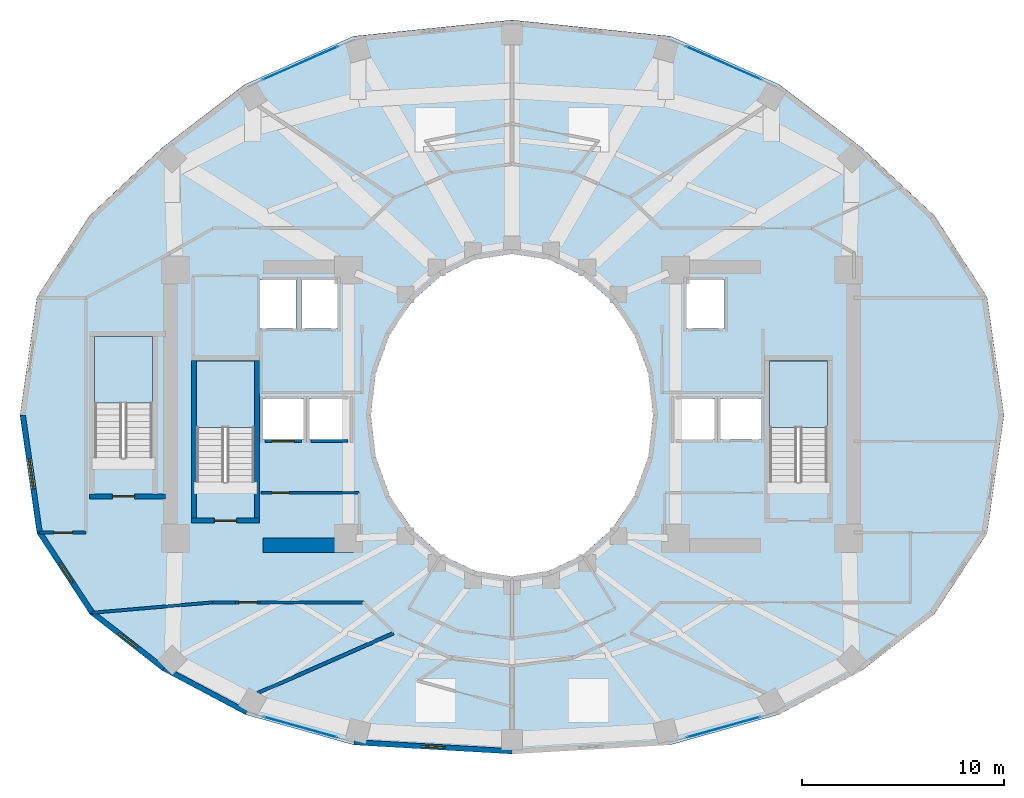
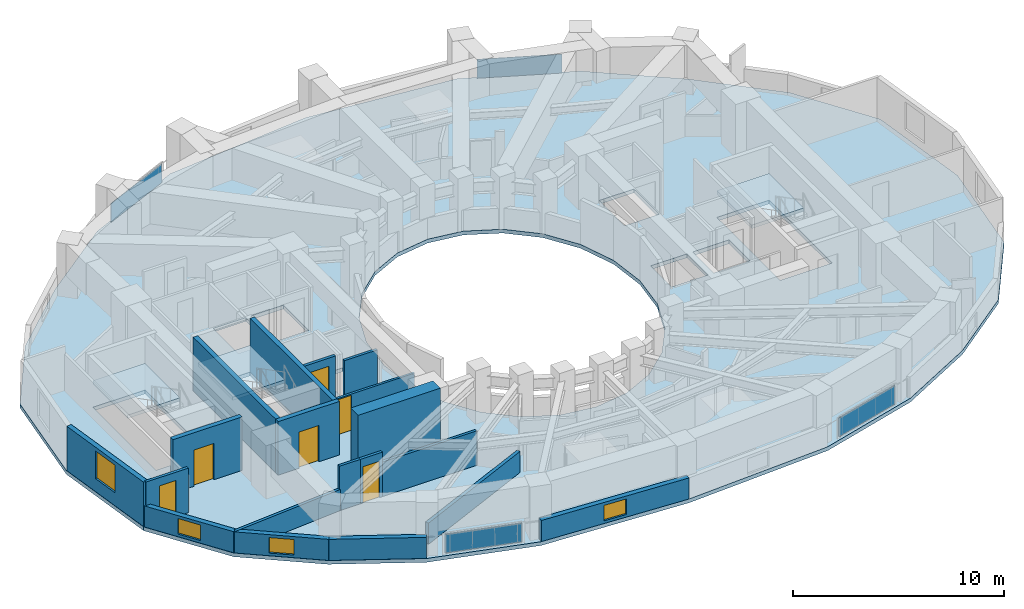
# One storey, part 8 of 16: 19 walls, 6 doors, 4 plates, 4 slabs, 4 windows, 10 openings, 7 elements without a shape of their own.
"""IFC4 building model written with IfcOpenShell, lengths in metres."""

from ifc_helpers import new_model, si_unit, direction, frame, frame_2d, origin, origin_2d, place, context, subcontext, project, spatial, polyline, rectangle, outline, extrude, material, layer, layer_set, type_object, element, fill, aggregate, save


model = new_model("IFC4")

# Units and contexts
model_context = context("Model", 3, precision=1e-05, world=origin(), true_north=direction((0.0, 1.0)))
body_context = subcontext(model_context, "Body", "Model", "MODEL_VIEW")
ifc_project = project(units=[si_unit("LENGTHUNIT", "METRE"), si_unit("AREAUNIT", "SQUARE_METRE"), si_unit("VOLUMEUNIT", "CUBIC_METRE"), si_unit("PLANEANGLEUNIT", "RADIAN"), si_unit("MASSUNIT", "GRAM", prefix="KILO")], contexts=[model_context])

# Site, building, storey
site_placement = place(None, origin())
site = spatial("IfcSite", under=ifc_project, at=site_placement, CompositionType="ELEMENT")
building_placement = place(site_placement, origin())
building = spatial("IfcBuilding", under=site, at=building_placement, Name="Solvane Sanctuary Tower", CompositionType="ELEMENT")
storey_placement = place(building_placement, frame((0.0, 0.0, 119.699951171875)))
storey = spatial("IfcBuildingStorey", under=building, at=storey_placement, Name="L36", CompositionType="ELEMENT", Elevation=119.699951171875)

# Curtain wall, plate
ifc_material_1 = material(Name="Anodised Aluminium 6063-T6", Category="aluminium")
ifc_layer_1 = layer(ifc_material_1, 0.179931640625, Name="Anodised Aluminium 6063-T6")
ifc_layer_set_1 = layer_set([ifc_layer_1], Name="Anodised Aluminium 6063-T6")
curtain_wall_type = type_object("IfcCurtainWallType", Name="Curtain Wall CW-FRIT-Z2", PredefinedType="NOTDEFINED", material=ifc_layer_set_1)
curtain_wall_1_placement = place(storey_placement, origin())
curtain_wall_1 = element("IfcCurtainWall", 1, at=curtain_wall_1_placement, inside=storey, type_object=curtain_wall_type, Name="L36 CW-FRIT-Z2 Facade Run 04", PredefinedType="NOTDEFINED")
ifc_material_2 = material(Name="Dark Ceramic-Fritted Low-E Glass", Category="glass")
ifc_layer_2 = layer(ifc_material_2, 0.031982421875, Name="Dark Ceramic-Fritted Low-E Glass")
ifc_layer_set_2 = layer_set([ifc_layer_2], Name="Dark Ceramic-Fritted Low-E Glass")
plate_type = type_object("IfcPlateType", Name="Plate PN-FRIT-VIS", PredefinedType="CURTAIN_PANEL", material=ifc_layer_set_2)
plate_1_placement = place(storey_placement, frame((42.494873046875, 40.46435546875, 0.06494140625), z_axis=(0.0, 0.0, 1.0), x_axis=(-0.914338607285, 0.404950504664, 0.0)))
plate_1 = element("IfcPlate", 2, at=plate_1_placement, type_object=plate_type, Name="CW-FRIT-Z2 panel 1.1", PredefinedType="CURTAIN_PANEL", context=body_context, shape_type="SweptSolid", body=[
    extrude(rectangle(XDim=4.06884765625, YDim=0.031982421875, at=origin_2d()), origin(), (0.0, 0.0, 1.0), 1.090087890625),
])
aggregate(curtain_wall_1, [plate_1])

curtain_wall_2_placement = place(storey_placement, origin())
curtain_wall_2 = element("IfcCurtainWall", 3, at=curtain_wall_2_placement, inside=storey, type_object=curtain_wall_type, Name="L36 CW-FRIT-Z2 Facade Run 07", PredefinedType="NOTDEFINED")
plate_2_placement = place(storey_placement, frame((21.505126953125, 40.46435546875, 0.06494140625), z_axis=(0.0, 0.0, 1.0), x_axis=(-0.914338607285, -0.404950504664, 0.0)))
plate_2 = element("IfcPlate", 4, at=plate_2_placement, type_object=plate_type, Name="CW-FRIT-Z2 panel 1.1", PredefinedType="CURTAIN_PANEL", context=body_context, shape_type="SweptSolid", body=[
    extrude(rectangle(XDim=4.06884765625, YDim=0.031982421875, at=origin_2d()), origin(), (0.0, 0.0, 1.0), 1.090087890625),
])
aggregate(curtain_wall_2, [plate_2])

curtain_wall_3_placement = place(storey_placement, origin())
curtain_wall_3 = element("IfcCurtainWall", 5, at=curtain_wall_3_placement, inside=storey, type_object=curtain_wall_type, Name="L36 CW-FRIT-Z2 Facade Run 16", PredefinedType="NOTDEFINED")
plate_3_placement = place(storey_placement, frame((21.505126953125, 7.528564453125, 0.06494140625), z_axis=(0.0, 0.0, 1.0), x_axis=(0.962943103308, -0.269704615814, 0.0)))
plate_3 = element("IfcPlate", 6, at=plate_3_placement, type_object=plate_type, Name="CW-FRIT-Z2 panel 1.1", PredefinedType="CURTAIN_PANEL", context=body_context, shape_type="SweptSolid", body=[
    extrude(rectangle(XDim=3.773193359375, YDim=0.031982421875, at=origin_2d()), origin(), (0.0, 0.0, 1.0), 1.090087890625),
])
aggregate(curtain_wall_3, [plate_3])

curtain_wall_4_placement = place(storey_placement, origin())
curtain_wall_4 = element("IfcCurtainWall", 7, at=curtain_wall_4_placement, inside=storey, type_object=curtain_wall_type, Name="L36 CW-FRIT-Z2 Facade Run 19", PredefinedType="NOTDEFINED")
plate_4_placement = place(storey_placement, frame((42.494873046875, 7.528564453125, 0.06494140625), z_axis=(0.0, 0.0, 1.0), x_axis=(0.962943103308, 0.269704615814, 0.0)))
plate_4 = element("IfcPlate", 8, at=plate_4_placement, type_object=plate_type, Name="CW-FRIT-Z2 panel 1.1", PredefinedType="CURTAIN_PANEL", context=body_context, shape_type="SweptSolid", body=[
    extrude(rectangle(XDim=3.773193359375, YDim=0.031982421875, at=origin_2d()), origin(), (0.0, 0.0, 1.0), 1.090087890625),
])
aggregate(curtain_wall_4, [plate_4])

# Stair, slab
ifc_material_3 = material(Name="Concrete C45/55", Category="concrete")
stair_type = type_object("IfcStairType", Name="Stair ST-TOW", PredefinedType="HALF_TURN_STAIR", material=ifc_material_3)
stair_1_placement = place(storey_placement, origin())
stair_1 = element("IfcStair", 9, at=stair_1_placement, inside=storey, type_object=stair_type, Name="L36 Exit Stair ST-1 West Core", PredefinedType="HALF_TURN_STAIR")
ifc_layer_3 = layer(ifc_material_3, 0.199951171875, Name="Concrete C45/55")
ifc_layer_set_3 = layer_set([ifc_layer_3], Name="Concrete C45/55")
slab_type_1 = type_object("IfcSlabType", Name="Slab SL-LAND-180", PredefinedType="LANDING", material=ifc_layer_set_3)
slab_1_placement = place(storey_placement, frame((0.0, 0.0, 1.35009765625)))
slab_1 = element("IfcSlab", 10, at=slab_1_placement, type_object=slab_type_1, Name="ST-1 landing 1", PredefinedType="LANDING", context=body_context, shape_type="SweptSolid", body=[
    extrude(outline(polyline([(19.219970703125, 22.39990234375), (19.219970703125, 25.699951171875), (16.360107421875, 25.699951171875), (16.360107421875, 22.39990234375), (19.219970703125, 22.39990234375)])), origin(), (0.0, 0.0, 1.0), 0.199951171875),
])
aggregate(stair_1, [slab_1])

stair_2_placement = place(storey_placement, origin())
stair_2 = element("IfcStair", 11, at=stair_2_placement, inside=storey, type_object=stair_type, Name="L36 Exit Stair ST-2 East Core", PredefinedType="HALF_TURN_STAIR")
slab_2_placement = place(storey_placement, frame((0.0, 0.0, 1.35009765625)))
slab_2 = element("IfcSlab", 12, at=slab_2_placement, type_object=slab_type_1, Name="ST-2 landing 1", PredefinedType="LANDING", context=body_context, shape_type="SweptSolid", body=[
    extrude(outline(polyline([(47.639892578125, 22.39990234375), (47.639892578125, 25.699951171875), (44.780029296875, 25.699951171875), (44.780029296875, 22.39990234375), (47.639892578125, 22.39990234375)])), origin(), (0.0, 0.0, 1.0), 0.199951171875),
])
aggregate(stair_2, [slab_2])

stair_3_placement = place(storey_placement, origin())
stair_3 = element("IfcStair", 13, at=stair_3_placement, inside=storey, type_object=stair_type, Name="L36 Exit Stair ST-3 Pilgrim Tower Stair", PredefinedType="HALF_TURN_STAIR")
slab_3_placement = place(storey_placement, frame((0.0, 0.0, 1.35009765625)))
slab_3 = element("IfcSlab", 14, at=slab_3_placement, type_object=slab_type_1, Name="ST-3 landing 1", PredefinedType="LANDING", context=body_context, shape_type="SweptSolid", body=[
    extrude(outline(polyline([(14.159912109375, 23.60009765625), (14.159912109375, 26.89990234375), (11.300048828125, 26.89990234375), (11.300048828125, 23.60009765625), (14.159912109375, 23.60009765625)])), origin(), (0.0, 0.0, 1.0), 0.199951171875),
])
aggregate(stair_3, [slab_3])

# Slab
ifc_layer_4 = layer(ifc_material_3, 0.219970703125, Name="Concrete C45/55")
ifc_layer_set_4 = layer_set([ifc_layer_4], Name="Concrete C45/55")
slab_type_2 = type_object("IfcSlabType", Name="Slab SL-TOW-220", PredefinedType="FLOOR", material=ifc_layer_set_4)
slab_4_placement = place(storey_placement, frame((0.0, 0.0, -0.219970703125)))
element("IfcSlab", 15, at=slab_4_placement, inside=storey, type_object=slab_type_2, Name="L36 Primary Structural Slab", PredefinedType="FLOOR", context=body_context, shape_type="SweptSolid", body=[
    extrude(outline(polyline([(56.39990234375, 23.0), (55.556884765625, 28.86376953125), (52.94091796875, 32.903076171875), (49.365478515625, 36.255126953125), (45.249267578125, 39.404296875), (39.861328125, 41.795166015625), (32.0, 42.60009765625), (24.138671875, 41.795166015625), (18.750732421875, 39.404296875), (14.634521484375, 36.255126953125), (11.05908203125, 32.903076171875), (8.443115234375, 28.86376953125), (7.60009765625, 23.0), (8.443115234375, 17.13623046875), (11.05908203125, 13.1376953125), (14.634521484375, 10.349609375), (18.750732421875, 8.16455078125), (24.138671875, 6.652587890625), (32.0, 6.199951171875), (39.861328125, 6.652587890625), (45.249267578125, 8.16455078125), (49.365478515625, 10.349609375), (52.94091796875, 13.1376953125), (55.556884765625, 17.13623046875), (56.39990234375, 23.0)]), holes=[polyline([(38.761474609375, 20.929443359375), (38.062255859375, 19.0), (36.94970703125, 17.343017578125), (35.5, 16.07177734375), (33.811767578125, 15.272705078125), (32.0, 15.0), (30.188232421875, 15.272705078125), (28.5, 16.07177734375), (27.05029296875, 17.343017578125), (25.937744140625, 19.0), (25.238525390625, 20.929443359375), (25.0, 23.0), (25.238525390625, 25.070556640625), (25.937744140625, 27.0), (27.05029296875, 28.656982421875), (28.5, 29.92822265625), (30.188232421875, 30.727294921875), (32.0, 31.0), (33.811767578125, 30.727294921875), (35.5, 29.92822265625), (36.94970703125, 28.656982421875), (38.062255859375, 27.0), (38.761474609375, 25.070556640625), (39.0, 23.0), (38.761474609375, 20.929443359375)]), polyline([(16.360107421875, 19.699951171875), (16.360107421875, 25.699951171875), (19.219970703125, 25.699951171875), (19.219970703125, 19.699951171875), (16.360107421875, 19.699951171875)]), polyline([(44.780029296875, 19.699951171875), (44.780029296875, 25.699951171875), (47.639892578125, 25.699951171875), (47.639892578125, 19.699951171875), (44.780029296875, 19.699951171875)]), polyline([(11.300048828125, 20.89990234375), (11.300048828125, 26.89990234375), (14.159912109375, 26.89990234375), (14.159912109375, 20.89990234375), (11.300048828125, 20.89990234375)]), polyline([(19.64990234375, 23.800048828125), (21.64990234375, 23.800048828125), (21.64990234375, 21.800048828125), (19.64990234375, 21.800048828125), (19.64990234375, 23.800048828125)]), polyline([(42.35009765625, 23.800048828125), (44.35009765625, 23.800048828125), (44.35009765625, 21.800048828125), (42.35009765625, 21.800048828125), (42.35009765625, 23.800048828125)]), polyline([(21.949951171875, 23.800048828125), (23.949951171875, 23.800048828125), (23.949951171875, 21.800048828125), (21.949951171875, 21.800048828125), (21.949951171875, 23.800048828125)]), polyline([(40.050048828125, 23.800048828125), (42.050048828125, 23.800048828125), (42.050048828125, 21.800048828125), (40.050048828125, 21.800048828125), (40.050048828125, 23.800048828125)]), polyline([(19.5, 29.699951171875), (21.300048828125, 29.699951171875), (21.300048828125, 27.300048828125), (19.5, 27.300048828125), (19.5, 29.699951171875)]), polyline([(21.550048828125, 29.699951171875), (23.35009765625, 29.699951171875), (23.35009765625, 27.300048828125), (21.550048828125, 27.300048828125), (21.550048828125, 29.699951171875)]), polyline([(40.64990234375, 29.699951171875), (42.550048828125, 29.699951171875), (42.550048828125, 27.300048828125), (40.64990234375, 27.300048828125), (40.64990234375, 29.699951171875)])]), origin(), (0.0, 0.0, 1.0), 0.219970703125),
])

# Wall
ifc_material_4 = material(Name="Concrete C60/75", Category="concrete")
ifc_layer_5 = layer(ifc_material_4, 0.699951171875, Name="Concrete C60/75")
ifc_layer_set_5 = layer_set([ifc_layer_5], Name="Concrete C60/75")
wall_type_1 = type_object("IfcWallType", Name="Wall W-CORE-700", PredefinedType="SHEAR", material=ifc_layer_set_5)
wall_1_placement = place(storey_placement, frame((19.64990234375, 16.550048828125, 0.0), z_axis=(0.0, 0.0, 1.0), x_axis=(1.0, 0.0, 0.0)))
element("IfcWall", 16, at=wall_1_placement, inside=storey, type_object=wall_type_1, Name="L36 Core Shear Wall WC-S", PredefinedType="SHEAR", context=body_context, shape_type="SweptSolid", body=[
    extrude(rectangle(XDim=4.5, YDim=0.699951171875, at=frame_2d((2.25, 0.0))), origin(), (0.0, 0.0, 1.0), 3.10009765625),
])

# Wall, opening, door
ifc_material_5 = material(Name="Acoustic Gypsum Partition Board")
ifc_layer_6 = layer(ifc_material_5, 0.14990234375, Name="Acoustic Gypsum Partition Board")
ifc_layer_set_6 = layer_set([ifc_layer_6], Name="Acoustic Gypsum Partition Board")
wall_type_2 = type_object("IfcWallType", Name="Wall W-CORR-150", PredefinedType="PARTITIONING", material=ifc_layer_set_6)
wall_2_placement = place(storey_placement, frame((8.558349609375, 17.1748046875, 0.0), z_axis=(0.0, 0.0, 1.0), x_axis=(1.0, 0.0, 0.0)))
wall_2 = element("IfcWall", 17, at=wall_2_placement, inside=storey, type_object=wall_type_2, Name="L36 West Shoulder South Wall", PredefinedType="PARTITIONING", context=body_context, shape_type="SweptSolid", body=[
    extrude(rectangle(XDim=2.321533203125, YDim=0.14990234375, at=frame_2d((1.16064453125, 0.0))), origin(), (0.0, 0.0, 1.0), 2.574951171875),
])
opening_1_placement = place(wall_2_placement, frame((0.739013671875, 0.0, 0.0)))
opening_1 = element("IfcOpeningElement", 18, at=opening_1_placement, cuts=wall_2, Name="Opening D-L36-11", PredefinedType="OPENING", context=body_context, shape_type="SweptSolid", body=[
    extrude(rectangle(XDim=0.89990234375, YDim=2.10009765625, at=frame_2d((0.449951171875, 1.050048828125))), frame((0.0, 0.0849609375, 0.0), z_axis=(0.0, -1.0, 0.0), x_axis=(1.0, 0.0, 0.0)), (0.0, 0.0, 1.0), 0.169921875),
])
ifc_material_6 = material(Name="Engineered Tropical Hardwood", Category="wood")
door_type_1 = type_object("IfcDoorType", Name="Door D-WET-900", OperationType="NOTDEFINED", PredefinedType="DOOR", material=ifc_material_6)
door_1_placement = place(opening_1_placement, origin())
door_1 = element("IfcDoor", 19, at=door_1_placement, inside=storey, type_object=door_type_1, Name="L36 West Shoulder South Door", OperationType="SINGLE_SWING_LEFT", OverallHeight=2.10009765625, OverallWidth=0.89990234375, PredefinedType="DOOR", context=body_context, shape_type="SweptSolid", body=[
    extrude(rectangle(XDim=0.89990234375, YDim=2.10009765625, at=frame_2d((0.449951171875, 1.050048828125))), frame((0.0, 0.02490234375, 0.0), z_axis=(0.0, -1.0, 0.0), x_axis=(1.0, 0.0, 0.0)), (0.0, 0.0, 1.0), 0.050048828125),
])
fill(opening_1, door_1)

# Wall
wall_3_placement = place(storey_placement, frame((17.14990234375, 13.719970703125, 0.0), z_axis=(0.0, 0.0, 1.0), x_axis=(1.0, 0.0, 0.0)))
element("IfcWall", 20, at=wall_3_placement, inside=storey, type_object=wall_type_2, Name="L36 SW Corner Corridor Wall", PredefinedType="PARTITIONING", context=body_context, shape_type="SweptSolid", body=[
    extrude(rectangle(XDim=1.14013671875, YDim=0.14990234375, at=frame_2d((0.570068359375, 0.0))), origin(), (0.0, 0.0, 1.0), 2.574951171875),
])

# Wall, opening, door
wall_4_placement = place(storey_placement, frame((18.2900390625, 13.719970703125, 0.0), z_axis=(0.0, 0.0, 1.0), x_axis=(1.0, 0.0, 0.0)))
wall_4 = element("IfcWall", 21, at=wall_4_placement, inside=storey, type_object=wall_type_2, Name="L36 SW Corner Corridor Wall", PredefinedType="PARTITIONING", context=body_context, shape_type="SweptSolid", body=[
    extrude(rectangle(XDim=1.219970703125, YDim=0.14990234375, at=frame_2d((0.60986328125, 0.0))), origin(), (0.0, 0.0, 1.0), 2.574951171875),
])
opening_2_placement = place(wall_4_placement, frame((0.159912109375, 0.0, 0.0)))
opening_2 = element("IfcOpeningElement", 22, at=opening_2_placement, cuts=wall_4, Name="Opening D-L36-15", PredefinedType="OPENING", context=body_context, shape_type="SweptSolid", body=[
    extrude(rectangle(XDim=0.89990234375, YDim=2.10009765625, at=frame_2d((0.449951171875, 1.050048828125))), frame((0.0, 0.0849609375, 0.0), z_axis=(0.0, -1.0, 0.0), x_axis=(1.0, 0.0, 0.0)), (0.0, 0.0, 1.0), 0.169921875),
])
door_2_placement = place(opening_2_placement, origin())
door_2 = element("IfcDoor", 23, at=door_2_placement, inside=storey, type_object=door_type_1, Name="L36 SW Corner Salon Door", OperationType="SINGLE_SWING_LEFT", OverallHeight=2.10009765625, OverallWidth=0.89990234375, PredefinedType="DOOR", context=body_context, shape_type="SweptSolid", body=[
    extrude(rectangle(XDim=0.89990234375, YDim=2.10009765625, at=frame_2d((0.449951171875, 1.050048828125))), frame((0.0, 0.02490234375, 0.0), z_axis=(0.0, -1.0, 0.0), x_axis=(1.0, 0.0, 0.0)), (0.0, 0.0, 1.0), 0.050048828125),
])
fill(opening_2, door_2)

# Walls
wall_5_placement = place(storey_placement, frame((19.510009765625, 13.719970703125, 0.0), z_axis=(0.0, 0.0, 1.0), x_axis=(1.0, 0.0, 0.0)))
element("IfcWall", 24, at=wall_5_placement, inside=storey, type_object=wall_type_2, Name="L36 SW Corner Corridor Wall", PredefinedType="PARTITIONING", context=body_context, shape_type="SweptSolid", body=[
    extrude(rectangle(XDim=5.159912109375, YDim=0.14990234375, at=frame_2d((2.580078125, 0.0))), origin(), (0.0, 0.0, 1.0), 1.991943359375),
])
wall_6_placement = place(storey_placement, frame((17.249755859375, 13.724365234375, 0.0), z_axis=(0.0, 0.0, 1.0), x_axis=(-0.996341886029, -0.085456691633, 0.0)))
element("IfcWall", 25, at=wall_6_placement, inside=storey, type_object=wall_type_2, Name="L36 SW Corner Wing Wall", PredefinedType="PARTITIONING", context=body_context, shape_type="SweptSolid", body=[
    extrude(rectangle(XDim=6.108154296875, YDim=0.14990234375, at=frame_2d((3.05419921875, 0.0))), origin(), (0.0, 0.0, 1.0), 1.219970703125),
])

# Wall, opening, window
ifc_material_7 = material(Name="Precast concrete C40/50", Category="concrete")
ifc_layer_7 = layer(ifc_material_7, 0.260009765625, Name="Precast concrete C40/50")
ifc_layer_set_7 = layer_set([ifc_layer_7], Name="Precast concrete C40/50")
wall_type_3 = type_object("IfcWallType", Name="Wall W-EXT-250", PredefinedType="STANDARD", material=ifc_layer_set_7)
wall_7_placement = place(storey_placement, frame((7.739990234375, 23.0, 0.0), z_axis=(0.0, 0.0, 1.0), x_axis=(0.142572472068, -0.98978436551, 0.0)))
wall_7 = element("IfcWall", 26, at=wall_7_placement, inside=storey, type_object=wall_type_3, Name="L36 Ceramic-Printed Facade Wall 12", PredefinedType="STANDARD", context=body_context, shape_type="SweptSolid", body=[
    extrude(rectangle(XDim=5.878662109375, YDim=0.260009765625, at=frame_2d((2.939453125, 0.0))), origin(), (0.0, 0.0, 1.0), 2.570068359375),
])
opening_3_placement = place(wall_7_placement, frame((2.189453125, 0.0, 0.75)))
opening_3 = element("IfcOpeningElement", 27, at=opening_3_placement, cuts=wall_7, Name="Opening WN-OPER-1500", PredefinedType="OPENING", context=body_context, shape_type="SweptSolid", body=[
    extrude(rectangle(XDim=1.5, YDim=1.60009765625, at=frame_2d((0.75, 0.800048828125))), frame((0.0, 0.139892578125, 0.0), z_axis=(0.0, -1.0, 0.0), x_axis=(1.0, 0.0, 0.0)), (0.0, 0.0, 1.0), 0.280029296875),
])
window_type_1 = type_object("IfcWindowType", Name="Window WN-OPER-1500", PartitioningType="SINGLE_PANEL", PredefinedType="WINDOW", material=ifc_material_2)
window_1_placement = place(opening_3_placement, origin())
window_1 = element("IfcWindow", 28, at=window_1_placement, inside=storey, type_object=window_type_1, Name="L36 Operable Facade Window 12", OverallHeight=1.60009765625, OverallWidth=1.5, PartitioningType="SINGLE_PANEL", PredefinedType="WINDOW", context=body_context, shape_type="SweptSolid", body=[
    extrude(rectangle(XDim=1.5, YDim=1.60009765625, at=frame_2d((0.75, 0.800048828125))), frame((0.0, 0.030029296875, 0.0), z_axis=(0.0, -1.0, 0.0), x_axis=(1.0, 0.0, 0.0)), (0.0, 0.0, 1.0), 0.06005859375),
])
fill(opening_3, window_1)

wall_8_placement = place(storey_placement, frame((8.578125, 17.181396484375, 0.0), z_axis=(0.0, 0.0, 1.0), x_axis=(0.548283220945, -0.836292717672, 0.0)))
wall_8 = element("IfcWall", 29, at=wall_8_placement, inside=storey, type_object=wall_type_3, Name="L36 Ceramic-Printed Facade Wall 13", PredefinedType="STANDARD", context=body_context, shape_type="SweptSolid", body=[
    extrude(rectangle(XDim=4.744384765625, YDim=0.260009765625, at=frame_2d((2.3720703125, 0.0))), origin(), (0.0, 0.0, 1.0), 1.219970703125),
])
opening_4_placement = place(wall_8_placement, frame((1.772216796875, 0.0, 0.14990234375)))
opening_4 = element("IfcOpeningElement", 30, at=opening_4_placement, cuts=wall_8, Name="Opening WN-OPER-1200", PredefinedType="OPENING", context=body_context, shape_type="SweptSolid", body=[
    extrude(rectangle(XDim=1.199951171875, YDim=0.89990234375, at=frame_2d((0.60009765625, 0.449951171875))), frame((0.0, 0.139892578125, 0.0), z_axis=(0.0, -1.0, 0.0), x_axis=(1.0, 0.0, 0.0)), (0.0, 0.0, 1.0), 0.280029296875),
])
window_type_2 = type_object("IfcWindowType", Name="Window WN-OPER-1200", PartitioningType="SINGLE_PANEL", PredefinedType="WINDOW", material=ifc_material_2)
window_2_placement = place(opening_4_placement, origin())
window_2 = element("IfcWindow", 31, at=window_2_placement, inside=storey, type_object=window_type_2, Name="L36 Operable Facade Window 13", OverallHeight=0.89990234375, OverallWidth=1.199951171875, PartitioningType="SINGLE_PANEL", PredefinedType="WINDOW", context=body_context, shape_type="SweptSolid", body=[
    extrude(rectangle(XDim=1.199951171875, YDim=0.89990234375, at=frame_2d((0.60009765625, 0.449951171875))), frame((0.0, 0.030029296875, 0.0), z_axis=(0.0, -1.0, 0.0), x_axis=(1.0, 0.0, 0.0)), (0.0, 0.0, 1.0), 0.06005859375),
])
fill(opening_4, window_2)

wall_9_placement = place(storey_placement, frame((11.179443359375, 13.213623046875, 0.0), z_axis=(0.0, 0.0, 1.0), x_axis=(0.789127449954, -0.614229491094, 0.0)))
wall_9 = element("IfcWall", 32, at=wall_9_placement, inside=storey, type_object=wall_type_3, Name="L36 Ceramic-Printed Facade Wall 14", PredefinedType="STANDARD", context=body_context, shape_type="SweptSolid", body=[
    extrude(rectangle(XDim=4.504638671875, YDim=0.260009765625, at=frame_2d((2.25244140625, 0.0))), origin(), (0.0, 0.0, 1.0), 1.219970703125),
])
opening_5_placement = place(wall_9_placement, frame((1.65234375, 0.0, 0.14990234375)))
opening_5 = element("IfcOpeningElement", 33, at=opening_5_placement, cuts=wall_9, Name="Opening WN-OPER-1200", PredefinedType="OPENING", context=body_context, shape_type="SweptSolid", body=[
    extrude(rectangle(XDim=1.199951171875, YDim=0.89990234375, at=frame_2d((0.60009765625, 0.449951171875))), frame((0.0, 0.139892578125, 0.0), z_axis=(0.0, -1.0, 0.0), x_axis=(1.0, 0.0, 0.0)), (0.0, 0.0, 1.0), 0.280029296875),
])
window_3_placement = place(opening_5_placement, origin())
window_3 = element("IfcWindow", 34, at=window_3_placement, inside=storey, type_object=window_type_2, Name="L36 Operable Facade Window 14", OverallHeight=0.89990234375, OverallWidth=1.199951171875, PartitioningType="SINGLE_PANEL", PredefinedType="WINDOW", context=body_context, shape_type="SweptSolid", body=[
    extrude(rectangle(XDim=1.199951171875, YDim=0.89990234375, at=frame_2d((0.60009765625, 0.449951171875))), frame((0.0, 0.030029296875, 0.0), z_axis=(0.0, -1.0, 0.0), x_axis=(1.0, 0.0, 0.0)), (0.0, 0.0, 1.0), 0.06005859375),
])
fill(opening_5, window_3)

# Wall
wall_10_placement = place(storey_placement, frame((14.734130859375, 10.44677734375, 0.0), z_axis=(0.0, 0.0, 1.0), x_axis=(0.883668636807, -0.4681129568, 0.0)))
element("IfcWall", 35, at=wall_10_placement, inside=storey, type_object=wall_type_3, Name="L36 Ceramic-Printed Facade Wall 15", PredefinedType="STANDARD", context=body_context, shape_type="SweptSolid", body=[
    extrude(rectangle(XDim=4.63134765625, YDim=0.260009765625, at=frame_2d((2.315673828125, 0.0))), origin(), (0.0, 0.0, 1.0), 1.219970703125),
])

# Wall, opening, window
wall_11_placement = place(storey_placement, frame((24.18359375, 6.7783203125, 0.0), z_axis=(0.0, 0.0, 1.0), x_axis=(0.998352606703, -0.057376586592, 0.0)))
wall_11 = element("IfcWall", 36, at=wall_11_placement, inside=storey, type_object=wall_type_3, Name="L36 Ceramic-Printed Facade Wall 17", PredefinedType="STANDARD", context=body_context, shape_type="SweptSolid", body=[
    extrude(rectangle(XDim=7.829345703125, YDim=0.260009765625, at=frame_2d((3.91455078125, 0.0))), origin(), (0.0, 0.0, 1.0), 1.219970703125),
])
opening_6_placement = place(wall_11_placement, frame((3.314697265625, 0.0, 0.14990234375)))
opening_6 = element("IfcOpeningElement", 37, at=opening_6_placement, cuts=wall_11, Name="Opening WN-OPER-1200", PredefinedType="OPENING", context=body_context, shape_type="SweptSolid", body=[
    extrude(rectangle(XDim=1.199951171875, YDim=0.89990234375, at=frame_2d((0.60009765625, 0.449951171875))), frame((0.0, 0.139892578125, 0.0), z_axis=(0.0, -1.0, 0.0), x_axis=(1.0, 0.0, 0.0)), (0.0, 0.0, 1.0), 0.280029296875),
])
window_4_placement = place(opening_6_placement, origin())
window_4 = element("IfcWindow", 38, at=window_4_placement, inside=storey, type_object=window_type_2, Name="L36 Operable Facade Window 17", OverallHeight=0.89990234375, OverallWidth=1.199951171875, PartitioningType="SINGLE_PANEL", PredefinedType="WINDOW", context=body_context, shape_type="SweptSolid", body=[
    extrude(rectangle(XDim=1.199951171875, YDim=0.89990234375, at=frame_2d((0.60009765625, 0.449951171875))), frame((0.0, 0.030029296875, 0.0), z_axis=(0.0, -1.0, 0.0), x_axis=(1.0, 0.0, 0.0)), (0.0, 0.0, 1.0), 0.06005859375),
])
fill(opening_6, window_4)

# Wall, opening, door
ifc_layer_8 = layer(ifc_material_5, 0.125, Name="Acoustic Gypsum Partition Board")
ifc_layer_set_8 = layer_set([ifc_layer_8], Name="Acoustic Gypsum Partition Board")
wall_type_4 = type_object("IfcWallType", Name="Wall W-PART-125", PredefinedType="PARTITIONING", material=ifc_layer_set_8)
wall_12_placement = place(storey_placement, frame((19.550048828125, 19.159912109375, 0.0), z_axis=(0.0, 0.0, 1.0), x_axis=(1.0, 0.0, 0.0)))
wall_12 = element("IfcWall", 39, at=wall_12_placement, inside=storey, type_object=wall_type_4, Name="L36 Reclaimed Room Partition PLW", PredefinedType="PARTITIONING", context=body_context, shape_type="SweptSolid", body=[
    extrude(rectangle(XDim=4.869873046875, YDim=0.125, at=frame_2d((2.43505859375, 0.0))), origin(), (0.0, 0.0, 1.0), 2.1201171875),
])
opening_7_placement = place(wall_12_placement, frame((0.550048828125, 0.0, 0.0)))
opening_7 = element("IfcOpeningElement", 40, at=opening_7_placement, cuts=wall_12, Name="Opening D-L36-06", PredefinedType="OPENING", context=body_context, shape_type="SweptSolid", body=[
    extrude(rectangle(XDim=0.85009765625, YDim=2.050048828125, at=frame_2d((0.425048828125, 1.02490234375))), frame((0.0, 0.072509765625, 0.0), z_axis=(0.0, -1.0, 0.0), x_axis=(1.0, 0.0, 0.0)), (0.0, 0.0, 1.0), 0.14501953125),
])
ifc_material_8 = material(Name="Architectural Stainless Steel 316", Category="steel")
door_type_2 = type_object("IfcDoorType", Name="Door D-RISER", OperationType="NOTDEFINED", PredefinedType="DOOR", material=ifc_material_8)
door_3_placement = place(opening_7_placement, origin())
door_3 = element("IfcDoor", 41, at=door_3_placement, inside=storey, type_object=door_type_2, Name="L36 Reclaimed Room Door PLW-1", OperationType="SINGLE_SWING_RIGHT", OverallHeight=2.050048828125, OverallWidth=0.85009765625, PredefinedType="DOOR", context=body_context, shape_type="SweptSolid", body=[
    extrude(rectangle(XDim=0.85009765625, YDim=2.050048828125, at=frame_2d((0.425048828125, 1.02490234375))), frame((0.0, 0.02490234375, 0.0), z_axis=(0.0, -1.0, 0.0), x_axis=(1.0, 0.0, 0.0)), (0.0, 0.0, 1.0), 0.050048828125),
])
fill(opening_7, door_3)

ifc_material_9 = material(Name="Concrete C50/60", Category="concrete")
ifc_layer_9 = layer(ifc_material_9, 0.14990234375, Name="Concrete C50/60")
ifc_layer_set_9 = layer_set([ifc_layer_9], Name="Concrete C50/60")
wall_type_5 = type_object("IfcWallType", Name="Wall W-SHAFT-150", PredefinedType="SOLIDWALL", material=ifc_layer_set_9)
wall_13_placement = place(storey_placement, frame((19.739990234375, 21.719970703125, 0.0), z_axis=(0.0, 0.0, 1.0), x_axis=(1.0, 0.0, 0.0)))
wall_13 = element("IfcWall", 42, at=wall_13_placement, inside=storey, type_object=wall_type_5, Name="L36 PM-1 Lift Shaft Wall F", PredefinedType="SOLIDWALL", context=body_context, shape_type="SweptSolid", body=[
    extrude(rectangle(XDim=1.820068359375, YDim=0.14990234375, at=frame_2d((0.91015625, 0.0))), origin(), (0.0, 0.0, 1.0), 2.574951171875),
])
opening_8_placement = place(wall_13_placement, frame((0.360107421875, 0.0, 0.0)))
opening_8 = element("IfcOpeningElement", 43, at=opening_8_placement, cuts=wall_13, Name="Opening LD-L36-01", PredefinedType="OPENING", context=body_context, shape_type="SweptSolid", body=[
    extrude(rectangle(XDim=1.10009765625, YDim=2.10009765625, at=frame_2d((0.550048828125, 1.050048828125))), frame((0.0, 0.0849609375, 0.0), z_axis=(0.0, -1.0, 0.0), x_axis=(1.0, 0.0, 0.0)), (0.0, 0.0, 1.0), 0.169921875),
])
door_type_3 = type_object("IfcDoorType", Name="Door LD-PASS-1100", OperationType="NOTDEFINED", PredefinedType="DOOR", material=ifc_material_8)
door_4_placement = place(opening_8_placement, origin())
door_4 = element("IfcDoor", 44, at=door_4_placement, inside=storey, type_object=door_type_3, Name="L36 PM-1 Lift Landing Door", OperationType="DOUBLE_DOOR_SLIDING", OverallHeight=2.10009765625, OverallWidth=1.10009765625, PredefinedType="DOOR", context=body_context, shape_type="SweptSolid", body=[
    extrude(rectangle(XDim=1.10009765625, YDim=2.10009765625, at=frame_2d((0.550048828125, 1.050048828125))), frame((0.0, 0.02490234375, 0.0), z_axis=(0.0, -1.0, 0.0), x_axis=(1.0, 0.0, 0.0)), (0.0, 0.0, 1.0), 0.050048828125),
])
fill(opening_8, door_4)

# Wall
wall_14_placement = place(storey_placement, frame((22.0400390625, 21.719970703125, 0.0), z_axis=(0.0, 0.0, 1.0), x_axis=(1.0, 0.0, 0.0)))
element("IfcWall", 45, at=wall_14_placement, inside=storey, type_object=wall_type_5, Name="L36 PH-1 Lift Shaft Wall F", PredefinedType="SOLIDWALL", context=body_context, shape_type="SweptSolid", body=[
    extrude(rectangle(XDim=1.820068359375, YDim=0.14990234375, at=frame_2d((0.91015625, 0.0))), origin(), (0.0, 0.0, 1.0), 2.1201171875),
])

# Wall, opening, door
ifc_layer_10 = layer(ifc_material_9, 0.25, Name="Concrete C50/60")
ifc_layer_set_10 = layer_set([ifc_layer_10], Name="Concrete C50/60")
wall_type_6 = type_object("IfcWallType", Name="Wall W-SHAFT-250", PredefinedType="SOLIDWALL", material=ifc_layer_set_10)
wall_15_placement = place(storey_placement, frame((16.10498046875, 17.77001953125, 0.0), z_axis=(0.0, 0.0, 1.0), x_axis=(1.0, 0.0, 0.0)))
wall_15 = element("IfcWall", 46, at=wall_15_placement, inside=storey, type_object=wall_type_6, Name="L36 ST-1 Load-Bearing Shaft Wall S", PredefinedType="SOLIDWALL", context=body_context, shape_type="SweptSolid", body=[
    extrude(rectangle(XDim=3.3701171875, YDim=0.25, at=frame_2d((1.68505859375, 0.0))), origin(), (0.0, 0.0, 1.0), 3.10009765625),
])
opening_9_placement = place(wall_15_placement, frame((1.135009765625, 0.0, 0.0)))
opening_9 = element("IfcOpeningElement", 47, at=opening_9_placement, cuts=wall_15, Name="Opening D-L36-01", PredefinedType="OPENING", context=body_context, shape_type="SweptSolid", body=[
    extrude(rectangle(XDim=1.10009765625, YDim=2.10009765625, at=frame_2d((0.550048828125, 1.050048828125))), frame((0.0, 0.135009765625, 0.0), z_axis=(0.0, -1.0, 0.0), x_axis=(1.0, 0.0, 0.0)), (0.0, 0.0, 1.0), 0.27001953125),
])
door_type_4 = type_object("IfcDoorType", Name="Door D-STAIR", OperationType="NOTDEFINED", PredefinedType="DOOR", material=ifc_material_8)
door_5_placement = place(opening_9_placement, origin())
door_5 = element("IfcDoor", 48, at=door_5_placement, inside=storey, type_object=door_type_4, Name="L36 ST-1 Exit Stair Fire Door", OperationType="SINGLE_SWING_RIGHT", OverallHeight=2.10009765625, OverallWidth=1.10009765625, PredefinedType="DOOR", context=body_context, shape_type="SweptSolid", body=[
    extrude(rectangle(XDim=1.10009765625, YDim=2.10009765625, at=frame_2d((0.550048828125, 1.050048828125))), frame((0.0, 0.02490234375, 0.0), z_axis=(0.0, -1.0, 0.0), x_axis=(1.0, 0.0, 0.0)), (0.0, 0.0, 1.0), 0.050048828125),
])
fill(opening_9, door_5)

# Walls
for number, where, z_axis, x_axis, name in (
    (49, (16.22998046875, 17.89501953125, 0.0), (0.0, 0.0, 1.0), (0.0, 1.0, 0.0), "L36 ST-1 Load-Bearing Shaft Wall W"),
    (50, (19.35009765625, 17.89501953125, 0.0), (0.0, 0.0, 1.0), (0.0, 1.0, 0.0), "L36 ST-1 Load-Bearing Shaft Wall E"),
):
    element("IfcWall", number, at=place(storey_placement, frame(where, z_axis=z_axis, x_axis=x_axis)), inside=storey, type_object=wall_type_6, Name=name, PredefinedType="SOLIDWALL", context=body_context, shape_type="SweptSolid", body=[
        extrude(rectangle(XDim=7.81005859375, YDim=0.25, at=frame_2d((3.905029296875, 0.0))), origin(), (0.0, 0.0, 1.0), 3.10009765625),
    ])

# Wall, opening, door
wall_16_placement = place(storey_placement, frame((11.044921875, 18.969970703125, 0.0), z_axis=(0.0, 0.0, 1.0), x_axis=(1.0, 0.0, 0.0)))
wall_16 = element("IfcWall", 51, at=wall_16_placement, inside=storey, type_object=wall_type_6, Name="L36 ST-3 Load-Bearing Shaft Wall S", PredefinedType="SOLIDWALL", context=body_context, shape_type="SweptSolid", body=[
    extrude(rectangle(XDim=3.781982421875, YDim=0.25, at=frame_2d((1.89111328125, 0.0))), origin(), (0.0, 0.0, 1.0), 3.10009765625),
])
opening_10_placement = place(wall_16_placement, frame((1.135009765625, 0.0, 0.0)))
opening_10 = element("IfcOpeningElement", 52, at=opening_10_placement, cuts=wall_16, Name="Opening D-L36-03", PredefinedType="OPENING", context=body_context, shape_type="SweptSolid", body=[
    extrude(rectangle(XDim=1.10009765625, YDim=2.10009765625, at=frame_2d((0.550048828125, 1.050048828125))), frame((0.0, 0.135009765625, 0.0), z_axis=(0.0, -1.0, 0.0), x_axis=(1.0, 0.0, 0.0)), (0.0, 0.0, 1.0), 0.27001953125),
])
door_6_placement = place(opening_10_placement, origin())
door_6 = element("IfcDoor", 53, at=door_6_placement, inside=storey, type_object=door_type_4, Name="L36 ST-3 Exit Stair Fire Door", OperationType="SINGLE_SWING_RIGHT", OverallHeight=2.10009765625, OverallWidth=1.10009765625, PredefinedType="DOOR", context=body_context, shape_type="SweptSolid", body=[
    extrude(rectangle(XDim=1.10009765625, YDim=2.10009765625, at=frame_2d((0.550048828125, 1.050048828125))), frame((0.0, 0.02490234375, 0.0), z_axis=(0.0, -1.0, 0.0), x_axis=(1.0, 0.0, 0.0)), (0.0, 0.0, 1.0), 0.050048828125),
])
fill(opening_10, door_6)

# Wall
ifc_layer_11 = layer(ifc_material_5, 0.179931640625, Name="Acoustic Gypsum Partition Board")
ifc_layer_set_11 = layer_set([ifc_layer_11], Name="Acoustic Gypsum Partition Board")
wall_type_7 = type_object("IfcWallType", Name="Wall W-UNIT-180", PredefinedType="PARTITIONING", material=ifc_layer_set_11)
wall_17_placement = place(storey_placement, frame((26.12158203125, 12.190673828125, 0.0), z_axis=(0.0, 0.0, 1.0), x_axis=(-0.914765930761, -0.403984271872, 0.0)))
element("IfcWall", 54, at=wall_17_placement, inside=storey, type_object=wall_type_7, Name="L36 Radial Compartment Wall 240", PredefinedType="PARTITIONING", context=body_context, shape_type="SweptSolid", body=[
    extrude(rectangle(XDim=7.35400390625, YDim=0.179931640625, at=frame_2d((3.677001953125, 0.0))), origin(), (0.0, 0.0, 1.0), 1.219970703125),
])

save(model, "model.ifc")
